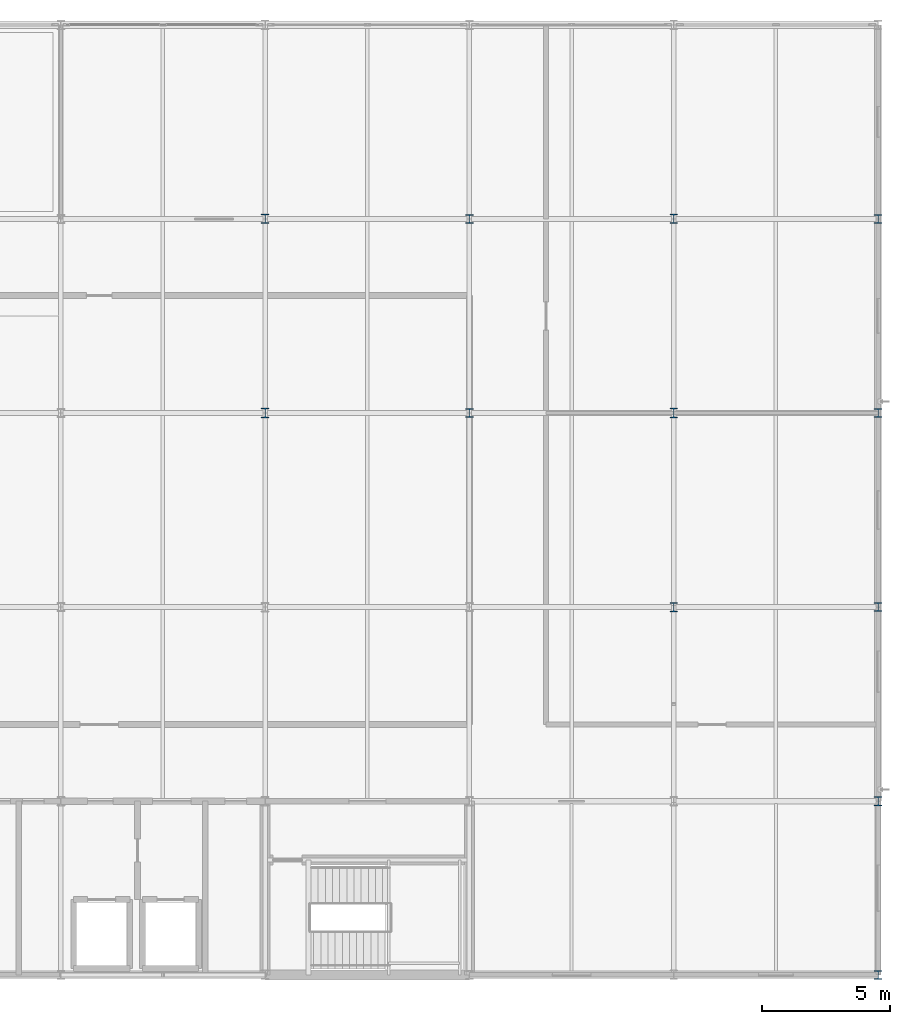
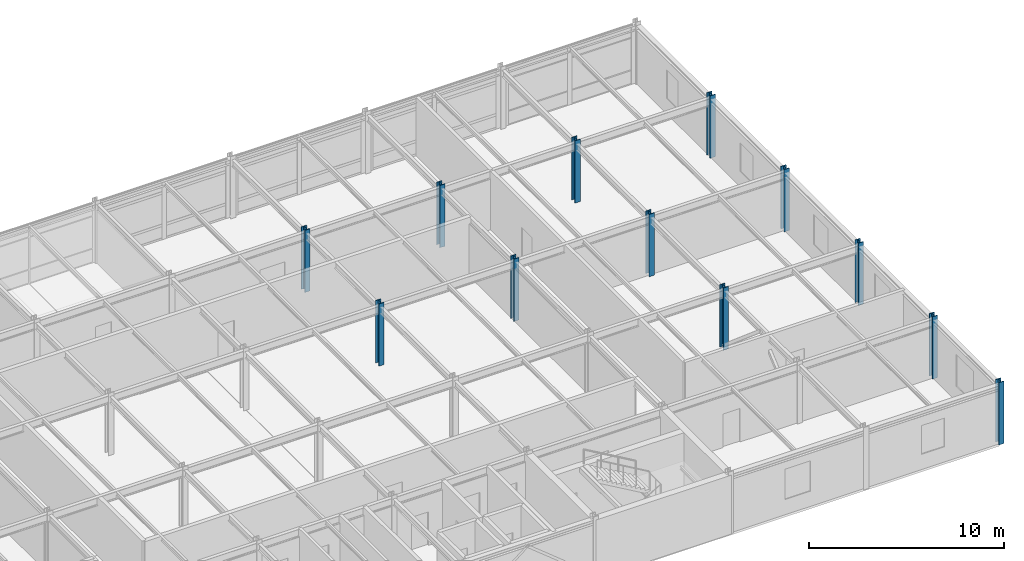
# One storey, part 2 of 15: 12 columns.
"""IFC4 building model written with IfcOpenShell, lengths in metres."""

import ifcopenshell
import ifcopenshell.guid

model = None  # the IFC model being written
_history = None  # IfcOwnerHistory: only IFC2X3 demands one
_inside = {}  # id of a spatial element -> (the spatial element, [elements in it])
_under = {}  # id of a project, library or spatial element -> (it, [spatial elements below it])
_declared = {}  # id of a project -> (the project, [libraries it declares])
_typed = {}  # id of a type object -> (the type object, [elements of that type])
_made_of = {}  # id of a material, layer set ... -> (it, [elements and type objects made of it])


def new_model(schema):
    """Start an empty IFC model of exactly this schema.

    Asked for "IFC4X3", IfcOpenShell would pick the latest addendum, in which some entities
    have other attributes; the version numbers below select the first issue.
    IFC2X3 requires an IfcOwnerHistory on every rooted entity: one is made here for all.
    """
    global model, _history
    if schema == "IFC4X3":
        model = ifcopenshell.file(schema_version=(4, 3, 0, 0))
    else:
        model = ifcopenshell.file(schema=schema)
    _inside.clear()
    _under.clear()
    _declared.clear()
    _typed.clear()
    _made_of.clear()
    _history = None
    if model.schema == "IFC2X3":
        org = make("IfcOrganization", Name="unknown")
        user = make(
            "IfcPersonAndOrganization",
            ThePerson=make("IfcPerson", FamilyName="unknown"),
            TheOrganization=org,
        )
        app = make(
            "IfcApplication",
            ApplicationDeveloper=org,
            Version="unknown",
            ApplicationFullName="unknown",
            ApplicationIdentifier="unknown",
        )
        _history = make(
            "IfcOwnerHistory",
            OwningUser=user,
            OwningApplication=app,
            ChangeAction="ADDED",
            CreationDate=0,
        )
    return model


def make(cls, **values):
    """One entity of the class cls with the attributes given. An attribute that is None is left unset."""
    return model.create_entity(
        cls, **{name: value for name, value in values.items() if value is not None}
    )


def rooted(cls, **values):
    """An entity with a GlobalId (a new one), such as an element, a storey or a relation."""
    return make(cls, GlobalId=ifcopenshell.guid.new(), OwnerHistory=_history, **values)


def si_unit(unit_type, name, prefix=None):
    """IfcSIUnit, for example si_unit("LENGTHUNIT", "METRE", prefix="MILLI")."""
    return make("IfcSIUnit", UnitType=unit_type, Prefix=prefix, Name=name)


def assignment(units):
    """IfcUnitAssignment: the units of a project."""
    return None if units is None else make("IfcUnitAssignment", Units=units)


def point(xyz):
    """IfcCartesianPoint."""
    return None if xyz is None else make("IfcCartesianPoint", Coordinates=xyz)


def direction(xyz):
    """IfcDirection."""
    return None if xyz is None else make("IfcDirection", DirectionRatios=xyz)


def frame(location, z_axis=None, x_axis=None):
    """IfcAxis2Placement3D, a coordinate frame: its origin and axes. An axis left out is left unset."""
    return make(
        "IfcAxis2Placement3D",
        Location=point(location),
        Axis=direction(z_axis),
        RefDirection=direction(x_axis),
    )


def frame_2d(location, x_axis=None):
    """IfcAxis2Placement2D, a coordinate frame in the plane: its origin and x axis."""
    return make(
        "IfcAxis2Placement2D", Location=point(location), RefDirection=direction(x_axis)
    )


def origin():
    """The frame at (0, 0, 0) with its axes left unset."""
    return frame((0.0, 0.0, 0.0))


def origin_2d():
    """The frame at (0, 0) in the plane with its x axis left unset."""
    return frame_2d((0.0, 0.0))


def place(relative_to, where):
    """IfcLocalPlacement: puts the frame where relative to a parent placement (None: the world)."""
    return make(
        "IfcLocalPlacement", PlacementRelTo=relative_to, RelativePlacement=where
    )


def context(
    kind, dimensions, precision=None, world=None, true_north=None, identifier=None
):
    """IfcGeometricRepresentationContext, for example the 3D "Model" context."""
    return make(
        "IfcGeometricRepresentationContext",
        ContextIdentifier=identifier,
        ContextType=kind,
        CoordinateSpaceDimension=dimensions,
        Precision=precision,
        WorldCoordinateSystem=world,
        TrueNorth=true_north,
    )


def subcontext(parent, identifier, kind, view, scale=None):
    """IfcGeometricRepresentationSubContext, for example "Body" below "Model"."""
    return make(
        "IfcGeometricRepresentationSubContext",
        ContextIdentifier=identifier,
        ContextType=kind,
        ParentContext=parent,
        TargetScale=scale,
        TargetView=view,
    )


def project(units=None, contexts=None):
    """IfcProject with its units and contexts."""
    return rooted(
        "IfcProject",
        Name="project",
        RepresentationContexts=contexts,
        UnitsInContext=assignment(units),
    )


def spatial(cls, under=None, at=None, **own):
    """A site, building, storey or space (cls), placed at a placement, below another one or the project."""
    s = rooted(cls, ObjectPlacement=at, **own)
    if under is not None:
        _under.setdefault(under.id(), (under, []))[1].append(s)
    return s


def profile(cls, at=None, kind="AREA", **sizes):
    """A parametric profile (cls). Its sizes go by their IFC names, for example OverallWidth=200.0."""
    return make(cls, ProfileType=kind, Position=at, **sizes)


def i_section(**sizes):
    """IfcIShapeProfileDef."""
    return profile("IfcIShapeProfileDef", **sizes)


def extrude(swept, where, along, depth):
    """IfcExtrudedAreaSolid: the profile swept, set in the frame where, extruded along a direction by depth."""
    return make(
        "IfcExtrudedAreaSolid",
        SweptArea=swept,
        Position=where,
        ExtrudedDirection=direction(along),
        Depth=depth,
    )


def shape(context_of_items, identifier, shape_type, items):
    """IfcShapeRepresentation: the items that make up one representation, for example the "Body"."""
    return make(
        "IfcShapeRepresentation",
        ContextOfItems=context_of_items,
        RepresentationIdentifier=identifier,
        RepresentationType=shape_type,
        Items=items,
    )


def material(Name=None, Category=None):
    """IfcMaterial."""
    return make("IfcMaterial", Name=Name, Category=Category)


def material_profile(
    of_material, cross_section, Name=None, Category=None, Priority=None
):
    """IfcMaterialProfile: a cross section and its material."""
    return make(
        "IfcMaterialProfile",
        Name=Name,
        Material=of_material,
        Profile=cross_section,
        Priority=Priority,
        Category=Category,
    )


def profile_set(profiles, Name=None, composite=None):
    """IfcMaterialProfileSet."""
    return make(
        "IfcMaterialProfileSet",
        Name=Name,
        MaterialProfiles=profiles,
        CompositeProfile=composite,
    )


def made_of(thing, what):
    """Note that an element or type object is made of a material, layer set ...; save() writes the relation."""
    if what is not None:
        _made_of.setdefault(what.id(), (what, []))[1].append(thing)
    return thing


def type_object(cls, material=None, **own):
    """A type object (cls), such as IfcWallType, which elements share."""
    return made_of(rooted(cls, **own), material)


def element(
    cls,
    number,
    at=None,
    inside=None,
    cuts=None,
    type_object=None,
    material=None,
    context=None,
    identifier="Body",
    shape_type=None,
    held_by="IfcProductDefinitionShape",
    body=None,
    shapes=None,
    **own,
):
    """One element of the class cls, such as IfcWall. Its Tag is "e" and its number.

    at: its placement. inside: the storey or other place that contains it. cuts: it is an
    opening in that element (IfcRelVoidsElement). A single representation is given by context,
    identifier, shape_type and body (its items); several are given by shapes. held_by: the class
    of the entity that holds the representations. save() writes the other relations.
    """
    e = rooted(cls, Tag="e%d" % number, ObjectPlacement=at, **own)
    if body is not None:
        shapes = [shape(context, identifier, shape_type, body)]
    if shapes is not None:
        e.Representation = make(held_by, Representations=shapes)
    if inside is not None:
        _inside.setdefault(inside.id(), (inside, []))[1].append(e)
    if cuts is not None:
        rooted(
            "IfcRelVoidsElement", RelatingBuildingElement=cuts, RelatedOpeningElement=e
        )
    if type_object is not None:
        _typed.setdefault(type_object.id(), (type_object, []))[1].append(e)
    return made_of(e, material)


def aggregate(whole, parts):
    """IfcRelAggregates: a whole, such as a stair, and the parts it consists of."""
    return rooted("IfcRelAggregates", RelatingObject=whole, RelatedObjects=parts)


def save(model, path):
    """Write the relations noted so far, then the file.

    IfcRelAggregates (storeys below a building ...), IfcRelContainedInSpatialStructure (elements
    in a storey), IfcRelDefinesByType, IfcRelAssociatesMaterial and IfcRelDeclares: one each for
    every whole, place, type object, material and project.
    """
    for whole, parts in _under.values():
        aggregate(whole, parts)
    for where, things in _inside.values():
        rooted(
            "IfcRelContainedInSpatialStructure",
            RelatedElements=things,
            RelatingStructure=where,
        )
    for kind, things in _typed.values():
        rooted("IfcRelDefinesByType", RelatedObjects=things, RelatingType=kind)
    for what, things in _made_of.values():
        rooted("IfcRelAssociatesMaterial", RelatedObjects=things, RelatingMaterial=what)
    for by, libraries in _declared.values():
        rooted("IfcRelDeclares", RelatingContext=by, RelatedDefinitions=libraries)
    model.write(path)


model = new_model("IFC4")

# Units and contexts
model_context = context("Model", 3, precision=1e-05, world=origin(), true_north=direction((0.0, 1.0)))
body_context = subcontext(model_context, "Body", "Model", "MODEL_VIEW")
ifc_project = project(units=[si_unit("LENGTHUNIT", "METRE"), si_unit("AREAUNIT", "SQUARE_METRE"), si_unit("VOLUMEUNIT", "CUBIC_METRE"), si_unit("PLANEANGLEUNIT", "RADIAN"), si_unit("MASSUNIT", "GRAM", prefix="KILO")], contexts=[model_context])

# Site, building, storey
site_placement = place(None, origin())
site = spatial("IfcSite", under=ifc_project, at=site_placement, CompositionType="ELEMENT")
building_placement = place(site_placement, origin())
building = spatial("IfcBuilding", under=site, at=building_placement, Name="Shalkamar Park Central Library", CompositionType="ELEMENT")
storey_placement = place(building_placement, frame((0.0, 0.0, 39.89990234375)))
storey = spatial("IfcBuildingStorey", under=building, at=storey_placement, Name="L10", CompositionType="ELEMENT", Elevation=39.89990234375)

# Columns
ifc_material = material(Name="Steel S355", Category="steel")
ifc_material_profile_1 = material_profile(ifc_material, i_section(OverallWidth=0.30908203125, OverallDepth=0.35888671875, WebThickness=0.02099609375, FlangeThickness=0.0400390625, FilletRadius=0.027099609375, at=origin_2d()), Name="HEM 320")
ifc_profile_set_1 = profile_set([ifc_material_profile_1], Name="Steel S355")
column_type_1 = type_object("IfcColumnType", Name="Column Steel HEM320", PredefinedType="COLUMN", material=ifc_profile_set_1)
for number, where, z_axis, x_axis, name in (
    (1, (205.0, 270.39990234375, 0.0), (0.0, 0.0, 1.0), (1.0, 0.0, 0.0), "Column 12/E (L10)"),
    (2, (205.0, 278.0, 0.0), (0.0, 0.0, 1.0), (1.0, 0.0, 0.0), "Column 12/F (L10)"),
    (3, (221.0, 248.39990234375, 0.0), (0.0, 0.0, 1.0), (1.0, 0.0, 0.0), "Column 14/B (L10)"),
    (4, (221.0, 255.199951171875, 0.0), (0.0, 0.0, 1.0), (1.0, 0.0, 0.0), "Column 14/C (L10)"),
    (5, (221.0, 262.800048828125, 0.0), (0.0, 0.0, 1.0), (1.0, 0.0, 0.0), "Column 14/D (L10)"),
    (6, (221.0, 270.39990234375, 0.0), (0.0, 0.0, 1.0), (1.0, 0.0, 0.0), "Column 14/E (L10)"),
    (7, (221.0, 278.0, 0.0), (0.0, 0.0, 1.0), (1.0, 0.0, 0.0), "Column 14/F (L10)"),
):
    element("IfcColumn", number, at=place(storey_placement, frame(where, z_axis=z_axis, x_axis=x_axis)), inside=storey, type_object=column_type_1, Name=name, PredefinedType="COLUMN", context=body_context, shape_type="SweptSolid", body=[
        extrude(i_section(OverallWidth=0.30908203125, OverallDepth=0.35888671875, WebThickness=0.02099609375, FlangeThickness=0.0400390625, FilletRadius=0.027099609375, at=origin_2d()), origin(), (0.0, 0.0, 1.0), 3.900146484375),
    ])
ifc_material_profile_2 = material_profile(ifc_material, i_section(OverallWidth=0.30908203125, OverallDepth=0.376953125, WebThickness=0.02099609375, FlangeThickness=0.0400390625, FilletRadius=0.027099609375, at=origin_2d()), Name="HEM 340")
ifc_profile_set_2 = profile_set([ifc_material_profile_2], Name="Steel S355")
column_type_2 = type_object("IfcColumnType", Name="Column Steel HEM340", PredefinedType="COLUMN", material=ifc_profile_set_2)
for number, where, z_axis, x_axis, name in (
    (8, (197.0, 270.39990234375, 0.0), (0.0, 0.0, 1.0), (1.0, 0.0, 0.0), "Column 11/E (L10)"),
    (9, (197.0, 278.0, 0.0), (0.0, 0.0, 1.0), (1.0, 0.0, 0.0), "Column 11/F (L10)"),
    (10, (213.0, 262.800048828125, 0.0), (0.0, 0.0, 1.0), (1.0, 0.0, 0.0), "Column 13/D (L10)"),
    (11, (213.0, 270.39990234375, 0.0), (0.0, 0.0, 1.0), (1.0, 0.0, 0.0), "Column 13/E (L10)"),
    (12, (213.0, 278.0, 0.0), (0.0, 0.0, 1.0), (1.0, 0.0, 0.0), "Column 13/F (L10)"),
):
    element("IfcColumn", number, at=place(storey_placement, frame(where, z_axis=z_axis, x_axis=x_axis)), inside=storey, type_object=column_type_2, Name=name, PredefinedType="COLUMN", context=body_context, shape_type="SweptSolid", body=[
        extrude(i_section(OverallWidth=0.30908203125, OverallDepth=0.376953125, WebThickness=0.02099609375, FlangeThickness=0.0400390625, FilletRadius=0.027099609375, at=origin_2d()), origin(), (0.0, 0.0, 1.0), 3.900146484375),
    ])

save(model, "model.ifc")
